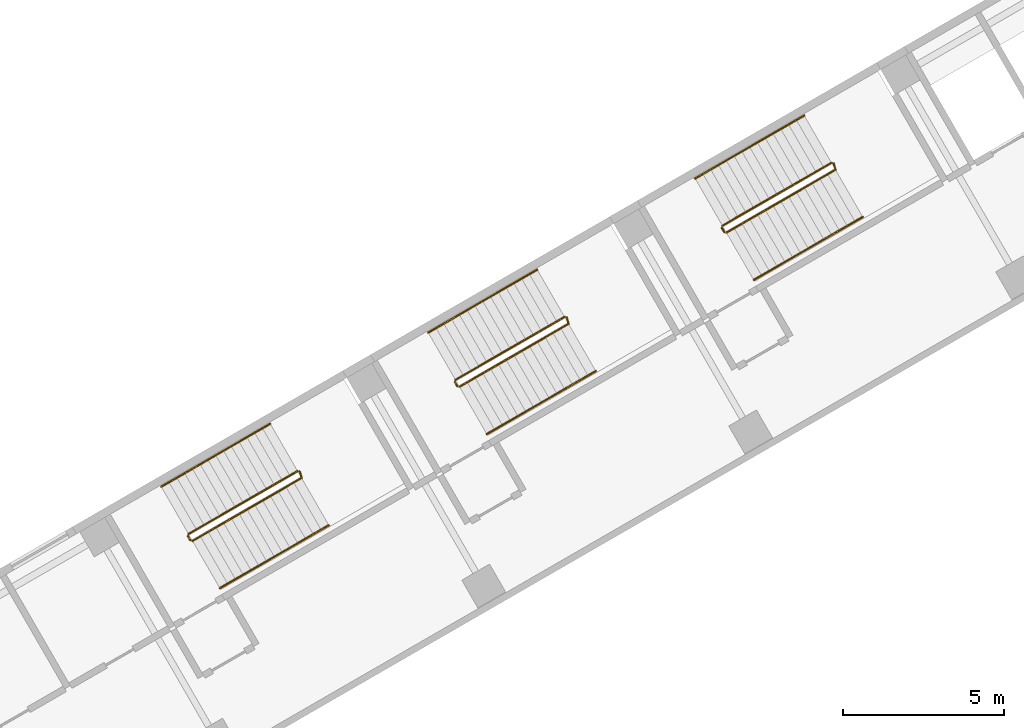
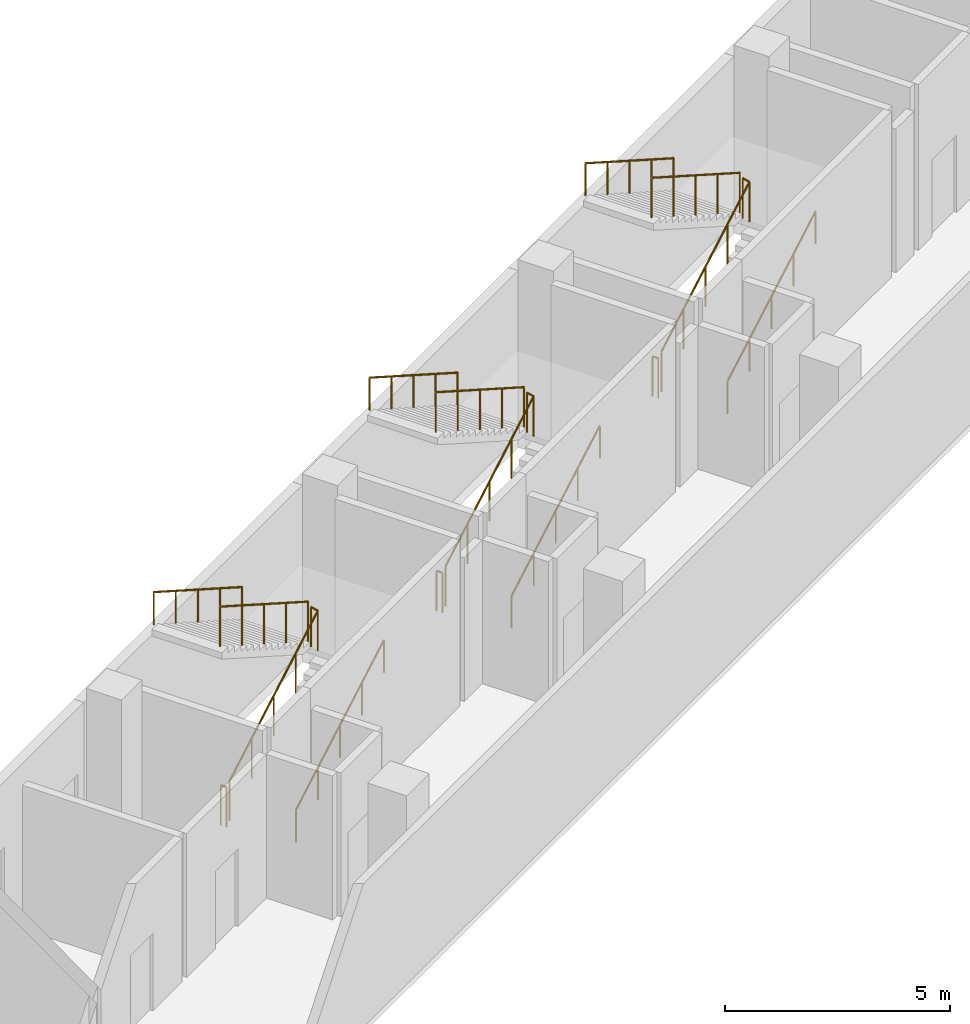
# One storey, part 26 of 28: 15 railings.
"""IFC4 building model written with IfcOpenShell, lengths in metres."""

import ifcopenshell
import ifcopenshell.guid

model = None  # the IFC model being written
_history = None  # IfcOwnerHistory: only IFC2X3 demands one
_inside = {}  # id of a spatial element -> (the spatial element, [elements in it])
_under = {}  # id of a project, library or spatial element -> (it, [spatial elements below it])
_declared = {}  # id of a project -> (the project, [libraries it declares])
_typed = {}  # id of a type object -> (the type object, [elements of that type])
_made_of = {}  # id of a material, layer set ... -> (it, [elements and type objects made of it])


def new_model(schema):
    """Start an empty IFC model of exactly this schema.

    Asked for "IFC4X3", IfcOpenShell would pick the latest addendum, in which some entities
    have other attributes; the version numbers below select the first issue.
    IFC2X3 requires an IfcOwnerHistory on every rooted entity: one is made here for all.
    """
    global model, _history
    if schema == "IFC4X3":
        model = ifcopenshell.file(schema_version=(4, 3, 0, 0))
    else:
        model = ifcopenshell.file(schema=schema)
    _inside.clear()
    _under.clear()
    _declared.clear()
    _typed.clear()
    _made_of.clear()
    _history = None
    if model.schema == "IFC2X3":
        org = make("IfcOrganization", Name="unknown")
        user = make(
            "IfcPersonAndOrganization",
            ThePerson=make("IfcPerson", FamilyName="unknown"),
            TheOrganization=org,
        )
        app = make(
            "IfcApplication",
            ApplicationDeveloper=org,
            Version="unknown",
            ApplicationFullName="unknown",
            ApplicationIdentifier="unknown",
        )
        _history = make(
            "IfcOwnerHistory",
            OwningUser=user,
            OwningApplication=app,
            ChangeAction="ADDED",
            CreationDate=0,
        )
    return model


def make(cls, **values):
    """One entity of the class cls with the attributes given. An attribute that is None is left unset."""
    return model.create_entity(
        cls, **{name: value for name, value in values.items() if value is not None}
    )


def rooted(cls, **values):
    """An entity with a GlobalId (a new one), such as an element, a storey or a relation."""
    return make(cls, GlobalId=ifcopenshell.guid.new(), OwnerHistory=_history, **values)


def si_unit(unit_type, name, prefix=None):
    """IfcSIUnit, for example si_unit("LENGTHUNIT", "METRE", prefix="MILLI")."""
    return make("IfcSIUnit", UnitType=unit_type, Prefix=prefix, Name=name)


def assignment(units):
    """IfcUnitAssignment: the units of a project."""
    return None if units is None else make("IfcUnitAssignment", Units=units)


def point(xyz):
    """IfcCartesianPoint."""
    return None if xyz is None else make("IfcCartesianPoint", Coordinates=xyz)


def direction(xyz):
    """IfcDirection."""
    return None if xyz is None else make("IfcDirection", DirectionRatios=xyz)


def frame(location, z_axis=None, x_axis=None):
    """IfcAxis2Placement3D, a coordinate frame: its origin and axes. An axis left out is left unset."""
    return make(
        "IfcAxis2Placement3D",
        Location=point(location),
        Axis=direction(z_axis),
        RefDirection=direction(x_axis),
    )


def frame_2d(location, x_axis=None):
    """IfcAxis2Placement2D, a coordinate frame in the plane: its origin and x axis."""
    return make(
        "IfcAxis2Placement2D", Location=point(location), RefDirection=direction(x_axis)
    )


def origin():
    """The frame at (0, 0, 0) with its axes left unset."""
    return frame((0.0, 0.0, 0.0))


def origin_2d():
    """The frame at (0, 0) in the plane with its x axis left unset."""
    return frame_2d((0.0, 0.0))


def place(relative_to, where):
    """IfcLocalPlacement: puts the frame where relative to a parent placement (None: the world)."""
    return make(
        "IfcLocalPlacement", PlacementRelTo=relative_to, RelativePlacement=where
    )


def context(
    kind, dimensions, precision=None, world=None, true_north=None, identifier=None
):
    """IfcGeometricRepresentationContext, for example the 3D "Model" context."""
    return make(
        "IfcGeometricRepresentationContext",
        ContextIdentifier=identifier,
        ContextType=kind,
        CoordinateSpaceDimension=dimensions,
        Precision=precision,
        WorldCoordinateSystem=world,
        TrueNorth=true_north,
    )


def subcontext(parent, identifier, kind, view, scale=None):
    """IfcGeometricRepresentationSubContext, for example "Body" below "Model"."""
    return make(
        "IfcGeometricRepresentationSubContext",
        ContextIdentifier=identifier,
        ContextType=kind,
        ParentContext=parent,
        TargetScale=scale,
        TargetView=view,
    )


def project(units=None, contexts=None):
    """IfcProject with its units and contexts."""
    return rooted(
        "IfcProject",
        Name="project",
        RepresentationContexts=contexts,
        UnitsInContext=assignment(units),
    )


def spatial(cls, under=None, at=None, **own):
    """A site, building, storey or space (cls), placed at a placement, below another one or the project."""
    s = rooted(cls, ObjectPlacement=at, **own)
    if under is not None:
        _under.setdefault(under.id(), (under, []))[1].append(s)
    return s


def profile(cls, at=None, kind="AREA", **sizes):
    """A parametric profile (cls). Its sizes go by their IFC names, for example OverallWidth=200.0."""
    return make(cls, ProfileType=kind, Position=at, **sizes)


def circle(**sizes):
    """IfcCircleProfileDef."""
    return profile("IfcCircleProfileDef", **sizes)


def extrude(swept, where, along, depth):
    """IfcExtrudedAreaSolid: the profile swept, set in the frame where, extruded along a direction by depth."""
    return make(
        "IfcExtrudedAreaSolid",
        SweptArea=swept,
        Position=where,
        ExtrudedDirection=direction(along),
        Depth=depth,
    )


def shape(context_of_items, identifier, shape_type, items):
    """IfcShapeRepresentation: the items that make up one representation, for example the "Body"."""
    return make(
        "IfcShapeRepresentation",
        ContextOfItems=context_of_items,
        RepresentationIdentifier=identifier,
        RepresentationType=shape_type,
        Items=items,
    )


def material(Name=None, Category=None):
    """IfcMaterial."""
    return make("IfcMaterial", Name=Name, Category=Category)


def made_of(thing, what):
    """Note that an element or type object is made of a material, layer set ...; save() writes the relation."""
    if what is not None:
        _made_of.setdefault(what.id(), (what, []))[1].append(thing)
    return thing


def type_object(cls, material=None, **own):
    """A type object (cls), such as IfcWallType, which elements share."""
    return made_of(rooted(cls, **own), material)


def element(
    cls,
    number,
    at=None,
    inside=None,
    cuts=None,
    type_object=None,
    material=None,
    context=None,
    identifier="Body",
    shape_type=None,
    held_by="IfcProductDefinitionShape",
    body=None,
    shapes=None,
    **own,
):
    """One element of the class cls, such as IfcWall. Its Tag is "e" and its number.

    at: its placement. inside: the storey or other place that contains it. cuts: it is an
    opening in that element (IfcRelVoidsElement). A single representation is given by context,
    identifier, shape_type and body (its items); several are given by shapes. held_by: the class
    of the entity that holds the representations. save() writes the other relations.
    """
    e = rooted(cls, Tag="e%d" % number, ObjectPlacement=at, **own)
    if body is not None:
        shapes = [shape(context, identifier, shape_type, body)]
    if shapes is not None:
        e.Representation = make(held_by, Representations=shapes)
    if inside is not None:
        _inside.setdefault(inside.id(), (inside, []))[1].append(e)
    if cuts is not None:
        rooted(
            "IfcRelVoidsElement", RelatingBuildingElement=cuts, RelatedOpeningElement=e
        )
    if type_object is not None:
        _typed.setdefault(type_object.id(), (type_object, []))[1].append(e)
    return made_of(e, material)


def aggregate(whole, parts):
    """IfcRelAggregates: a whole, such as a stair, and the parts it consists of."""
    return rooted("IfcRelAggregates", RelatingObject=whole, RelatedObjects=parts)


def save(model, path):
    """Write the relations noted so far, then the file.

    IfcRelAggregates (storeys below a building ...), IfcRelContainedInSpatialStructure (elements
    in a storey), IfcRelDefinesByType, IfcRelAssociatesMaterial and IfcRelDeclares: one each for
    every whole, place, type object, material and project.
    """
    for whole, parts in _under.values():
        aggregate(whole, parts)
    for where, things in _inside.values():
        rooted(
            "IfcRelContainedInSpatialStructure",
            RelatedElements=things,
            RelatingStructure=where,
        )
    for kind, things in _typed.values():
        rooted("IfcRelDefinesByType", RelatedObjects=things, RelatingType=kind)
    for what, things in _made_of.values():
        rooted("IfcRelAssociatesMaterial", RelatedObjects=things, RelatingMaterial=what)
    for by, libraries in _declared.values():
        rooted("IfcRelDeclares", RelatingContext=by, RelatedDefinitions=libraries)
    model.write(path)


model = new_model("IFC4")

# Units and contexts
model_context = context("Model", 3, precision=1e-05, world=origin(), true_north=direction((0.0, 1.0)))
body_context = subcontext(model_context, "Body", "Model", "MODEL_VIEW")
ifc_project = project(units=[si_unit("LENGTHUNIT", "METRE"), si_unit("AREAUNIT", "SQUARE_METRE"), si_unit("VOLUMEUNIT", "CUBIC_METRE"), si_unit("PLANEANGLEUNIT", "RADIAN"), si_unit("MASSUNIT", "GRAM", prefix="KILO")], contexts=[model_context])

# Site, building, storey
site_placement = place(None, origin())
site = spatial("IfcSite", under=ifc_project, at=site_placement, CompositionType="ELEMENT")
building_placement = place(site_placement, origin())
building = spatial("IfcBuilding", under=site, at=building_placement, Name="Mestral Congress Tower", CompositionType="ELEMENT")
storey_placement = place(building_placement, frame((0.0, 0.0, 11.39990234375)))
storey = spatial("IfcBuildingStorey", under=building, at=storey_placement, Name="L02", CompositionType="ELEMENT", Elevation=11.39990234375)

# Railings
ifc_material_1 = material(Name="Steel balustrade", Category="steel")
railing_type_1 = type_object("IfcRailingType", Name="Podium stair guard 1100", PredefinedType="GUARDRAIL", material=ifc_material_1)
railing_1_placement = place(storey_placement, frame((14.014892578125, 51.681396484375, 0.16015625)))
element("IfcRailing", 1, at=railing_1_placement, inside=storey, type_object=railing_type_1, Name="L02 PS-E4 stair guard 1", PredefinedType="GUARDRAIL", context=body_context, shape_type="SweptSolid", body=[
    extrude(circle(Radius=0.02392578125, at=origin_2d()), frame((0.0, 0.0, 1.076171875), z_axis=(0.751919994781, 0.434118210579, 0.496142822878), x_axis=(-0.499997407846, 0.86602690036, 0.0)), (0.0, 0.0, 1.0), 4.514892578125),
    extrude(circle(Radius=0.02392578125, at=origin_2d()), frame((3.394775390625, 1.9599609375, 3.31591796875), z_axis=(-0.274721127897, 0.961523947641, 0.0), x_axis=(-0.961523947641, -0.274721127897, 0.0)), (0.0, 0.0, 1.0), 0.2060546875),
    extrude(circle(Radius=0.02099609375, at=origin_2d()), origin(), (0.0, 0.0, 1.0), 1.052001953125),
    extrude(circle(Radius=0.02099609375, at=origin_2d()), frame((0.8486328125, 0.489990234375, 0.56005859375)), (0.0, 0.0, 1.0), 1.052001953125),
    extrude(circle(Radius=0.02099609375, at=origin_2d()), frame((1.697265625, 0.97998046875, 1.1201171875)), (0.0, 0.0, 1.0), 1.052001953125),
    extrude(circle(Radius=0.02099609375, at=origin_2d()), frame((2.546142578125, 1.469970703125, 1.679931640625)), (0.0, 0.0, 1.0), 1.052001953125),
    extrude(circle(Radius=0.02099609375, at=origin_2d()), frame((3.394775390625, 1.9599609375, 2.239990234375)), (0.0, 0.0, 1.0), 1.052001953125),
    extrude(circle(Radius=0.02099609375, at=origin_2d()), frame((3.338134765625, 2.158203125, 2.239990234375)), (0.0, 0.0, 1.0), 1.052001953125),
])
railing_2_placement = place(storey_placement, frame((17.28466796875, 53.85791015625, 2.56005859375)))
element("IfcRailing", 2, at=railing_2_placement, inside=storey, type_object=railing_type_1, Name="L02 PS-E4 stair guard 2", PredefinedType="GUARDRAIL", context=body_context, shape_type="SweptSolid", body=[
    extrude(circle(Radius=0.02392578125, at=origin_2d()), frame((0.0, 0.0, 1.076171875), z_axis=(-0.751919994781, -0.434118210579, 0.496142822878), x_axis=(0.499997407846, -0.86602690036, 0.0)), (0.0, 0.0, 1.0), 4.514892578125),
    extrude(circle(Radius=0.02099609375, at=origin_2d()), origin(), (0.0, 0.0, 1.0), 1.052001953125),
    extrude(circle(Radius=0.02099609375, at=origin_2d()), frame((-0.8486328125, -0.489990234375, 0.56005859375)), (0.0, 0.0, 1.0), 1.052001953125),
    extrude(circle(Radius=0.02099609375, at=origin_2d()), frame((-1.697265625, -0.97998046875, 1.1201171875)), (0.0, 0.0, 1.0), 1.052001953125),
    extrude(circle(Radius=0.02099609375, at=origin_2d()), frame((-2.546142578125, -1.469970703125, 1.679931640625)), (0.0, 0.0, 1.0), 1.052001953125),
    extrude(circle(Radius=0.02099609375, at=origin_2d()), frame((-3.394775390625, -1.9599609375, 2.239990234375)), (0.0, 0.0, 1.0), 1.052001953125),
])
railing_3_placement = place(storey_placement, frame((13.946533203125, 51.69970703125, 0.0)))
element("IfcRailing", 3, at=railing_3_placement, inside=storey, type_object=railing_type_1, Name="L02 PS-E4 stair guard 3", PredefinedType="GUARDRAIL", context=body_context, shape_type="SweptSolid", body=[
    extrude(circle(Radius=0.02392578125, at=origin_2d()), frame((0.0, 0.0, 1.076171875), z_axis=(-0.499816412211, 0.866131372301, 0.0), x_axis=(-0.866131372301, -0.499816412211, 0.0)), (0.0, 0.0, 1.0), 0.14990234375),
    extrude(circle(Radius=0.02099609375, at=origin_2d()), origin(), (0.0, 0.0, 1.0), 1.052001953125),
    extrude(circle(Radius=0.02099609375, at=origin_2d()), frame((-0.074951171875, 0.1298828125, 0.0)), (0.0, 0.0, 1.0), 1.052001953125),
])
railing_4_placement = place(storey_placement, frame((22.328857421875, 56.4814453125, 0.16015625)))
element("IfcRailing", 4, at=railing_4_placement, inside=storey, type_object=railing_type_1, Name="L02 PS-E5 stair guard 1", PredefinedType="GUARDRAIL", context=body_context, shape_type="SweptSolid", body=[
    extrude(circle(Radius=0.02392578125, at=origin_2d()), frame((0.0, 0.0, 1.076171875), z_axis=(0.751919994781, 0.434118210579, 0.496142822878), x_axis=(-0.499997407846, 0.86602690036, 0.0)), (0.0, 0.0, 1.0), 4.514892578125),
    extrude(circle(Radius=0.02392578125, at=origin_2d()), frame((3.394775390625, 1.9599609375, 3.31591796875), z_axis=(-0.275815366736, 0.96121063429, 0.0), x_axis=(-0.96121063429, -0.275815366736, 0.0)), (0.0, 0.0, 1.0), 0.206298828125),
    extrude(circle(Radius=0.02099609375, at=origin_2d()), origin(), (0.0, 0.0, 1.0), 1.052001953125),
    extrude(circle(Radius=0.02099609375, at=origin_2d()), frame((0.8486328125, 0.489990234375, 0.56005859375)), (0.0, 0.0, 1.0), 1.052001953125),
    extrude(circle(Radius=0.02099609375, at=origin_2d()), frame((1.697265625, 0.97998046875, 1.1201171875)), (0.0, 0.0, 1.0), 1.052001953125),
    extrude(circle(Radius=0.02099609375, at=origin_2d()), frame((2.546142578125, 1.469970703125, 1.679931640625)), (0.0, 0.0, 1.0), 1.052001953125),
    extrude(circle(Radius=0.02099609375, at=origin_2d()), frame((3.394775390625, 1.9599609375, 2.239990234375)), (0.0, 0.0, 1.0), 1.052001953125),
    extrude(circle(Radius=0.02099609375, at=origin_2d()), frame((3.337890625, 2.158203125, 2.239990234375)), (0.0, 0.0, 1.0), 1.052001953125),
])
railing_5_placement = place(storey_placement, frame((25.5986328125, 58.657958984375, 2.56005859375)))
element("IfcRailing", 5, at=railing_5_placement, inside=storey, type_object=railing_type_1, Name="L02 PS-E5 stair guard 2", PredefinedType="GUARDRAIL", context=body_context, shape_type="SweptSolid", body=[
    extrude(circle(Radius=0.02392578125, at=origin_2d()), frame((0.0, 0.0, 1.076171875), z_axis=(-0.751919994781, -0.434118210579, 0.496142822878), x_axis=(0.499997407846, -0.86602690036, 0.0)), (0.0, 0.0, 1.0), 4.514892578125),
    extrude(circle(Radius=0.02099609375, at=origin_2d()), origin(), (0.0, 0.0, 1.0), 1.052001953125),
    extrude(circle(Radius=0.02099609375, at=origin_2d()), frame((-0.8486328125, -0.489990234375, 0.56005859375)), (0.0, 0.0, 1.0), 1.052001953125),
    extrude(circle(Radius=0.02099609375, at=origin_2d()), frame((-1.697265625, -0.97998046875, 1.1201171875)), (0.0, 0.0, 1.0), 1.052001953125),
    extrude(circle(Radius=0.02099609375, at=origin_2d()), frame((-2.546142578125, -1.469970703125, 1.679931640625)), (0.0, 0.0, 1.0), 1.052001953125),
    extrude(circle(Radius=0.02099609375, at=origin_2d()), frame((-3.394775390625, -1.9599609375, 2.239990234375)), (0.0, 0.0, 1.0), 1.052001953125),
])
railing_6_placement = place(storey_placement, frame((22.260498046875, 56.499755859375, 0.0)))
element("IfcRailing", 6, at=railing_6_placement, inside=storey, type_object=railing_type_1, Name="L02 PS-E5 stair guard 3", PredefinedType="GUARDRAIL", context=body_context, shape_type="SweptSolid", body=[
    extrude(circle(Radius=0.02392578125, at=origin_2d()), frame((0.0, 0.0, 1.076171875), z_axis=(-0.499816412211, 0.866131372301, 0.0), x_axis=(-0.866131372301, -0.499816412211, 0.0)), (0.0, 0.0, 1.0), 0.14990234375),
    extrude(circle(Radius=0.02099609375, at=origin_2d()), origin(), (0.0, 0.0, 1.0), 1.052001953125),
    extrude(circle(Radius=0.02099609375, at=origin_2d()), frame((-0.074951171875, 0.1298828125, 0.0)), (0.0, 0.0, 1.0), 1.052001953125),
])
railing_7_placement = place(storey_placement, frame((30.642578125, 61.281494140625, 0.16015625)))
element("IfcRailing", 7, at=railing_7_placement, inside=storey, type_object=railing_type_1, Name="L02 PS-E6 stair guard 1", PredefinedType="GUARDRAIL", context=body_context, shape_type="SweptSolid", body=[
    extrude(circle(Radius=0.02392578125, at=origin_2d()), frame((0.0, 0.0, 1.076171875), z_axis=(0.751919994781, 0.434118210579, 0.496142822878), x_axis=(-0.499997407846, 0.86602690036, 0.0)), (0.0, 0.0, 1.0), 4.514892578125),
    extrude(circle(Radius=0.02392578125, at=origin_2d()), frame((3.394775390625, 1.9599609375, 3.31591796875), z_axis=(-0.274721127897, 0.961523947641, 0.0), x_axis=(-0.961523947641, -0.274721127897, 0.0)), (0.0, 0.0, 1.0), 0.2060546875),
    extrude(circle(Radius=0.02099609375, at=origin_2d()), origin(), (0.0, 0.0, 1.0), 1.052001953125),
    extrude(circle(Radius=0.02099609375, at=origin_2d()), frame((0.8486328125, 0.489990234375, 0.56005859375)), (0.0, 0.0, 1.0), 1.052001953125),
    extrude(circle(Radius=0.02099609375, at=origin_2d()), frame((1.697265625, 0.97998046875, 1.1201171875)), (0.0, 0.0, 1.0), 1.052001953125),
    extrude(circle(Radius=0.02099609375, at=origin_2d()), frame((2.546142578125, 1.469970703125, 1.679931640625)), (0.0, 0.0, 1.0), 1.052001953125),
    extrude(circle(Radius=0.02099609375, at=origin_2d()), frame((3.394775390625, 1.9599609375, 2.239990234375)), (0.0, 0.0, 1.0), 1.052001953125),
    extrude(circle(Radius=0.02099609375, at=origin_2d()), frame((3.338134765625, 2.158203125, 2.239990234375)), (0.0, 0.0, 1.0), 1.052001953125),
])
railing_8_placement = place(storey_placement, frame((33.912353515625, 63.4580078125, 2.56005859375)))
element("IfcRailing", 8, at=railing_8_placement, inside=storey, type_object=railing_type_1, Name="L02 PS-E6 stair guard 2", PredefinedType="GUARDRAIL", context=body_context, shape_type="SweptSolid", body=[
    extrude(circle(Radius=0.02392578125, at=origin_2d()), frame((0.0, 0.0, 1.076171875), z_axis=(-0.751919994781, -0.434118210579, 0.496142822878), x_axis=(0.499997407846, -0.86602690036, 0.0)), (0.0, 0.0, 1.0), 4.514892578125),
    extrude(circle(Radius=0.02099609375, at=origin_2d()), origin(), (0.0, 0.0, 1.0), 1.052001953125),
    extrude(circle(Radius=0.02099609375, at=origin_2d()), frame((-0.8486328125, -0.489990234375, 0.56005859375)), (0.0, 0.0, 1.0), 1.052001953125),
    extrude(circle(Radius=0.02099609375, at=origin_2d()), frame((-1.697265625, -0.97998046875, 1.1201171875)), (0.0, 0.0, 1.0), 1.052001953125),
    extrude(circle(Radius=0.02099609375, at=origin_2d()), frame((-2.546142578125, -1.469970703125, 1.679931640625)), (0.0, 0.0, 1.0), 1.052001953125),
    extrude(circle(Radius=0.02099609375, at=origin_2d()), frame((-3.394775390625, -1.9599609375, 2.239990234375)), (0.0, 0.0, 1.0), 1.052001953125),
])
railing_9_placement = place(storey_placement, frame((30.57421875, 61.2998046875, 0.0)))
element("IfcRailing", 9, at=railing_9_placement, inside=storey, type_object=railing_type_1, Name="L02 PS-E6 stair guard 3", PredefinedType="GUARDRAIL", context=body_context, shape_type="SweptSolid", body=[
    extrude(circle(Radius=0.02392578125, at=origin_2d()), frame((0.0, 0.0, 1.076171875), z_axis=(-0.499816412211, 0.866131372301, 0.0), x_axis=(-0.866131372301, -0.499816412211, 0.0)), (0.0, 0.0, 1.0), 0.14990234375),
    extrude(circle(Radius=0.02099609375, at=origin_2d()), origin(), (0.0, 0.0, 1.0), 1.052001953125),
    extrude(circle(Radius=0.02099609375, at=origin_2d()), frame((-0.074951171875, 0.1298828125, 0.0)), (0.0, 0.0, 1.0), 1.052001953125),
])
ifc_material_2 = material(Name="Steel handrail", Category="steel")
railing_type_2 = type_object("IfcRailingType", Name="Podium stair handrail 900", PredefinedType="HANDRAIL", material=ifc_material_2)
railing_10_placement = place(storey_placement, frame((14.864990234375, 50.209228515625, 0.16015625)))
element("IfcRailing", 10, at=railing_10_placement, inside=storey, type_object=railing_type_2, Name="L02 PS-E4 stair handrail 1", PredefinedType="HANDRAIL", context=body_context, shape_type="SweptSolid", body=[
    extrude(circle(Radius=0.02392578125, at=origin_2d()), frame((0.0, 0.0, 0.8759765625), z_axis=(0.751919994781, 0.434118210579, 0.496142822878), x_axis=(-0.499997407846, 0.86602690036, 0.0)), (0.0, 0.0, 1.0), 4.514892578125),
    extrude(circle(Radius=0.02099609375, at=origin_2d()), origin(), (0.0, 0.0, 1.0), 0.851806640625),
    extrude(circle(Radius=0.02099609375, at=origin_2d()), frame((0.8486328125, 0.489990234375, 0.56005859375)), (0.0, 0.0, 1.0), 0.851806640625),
    extrude(circle(Radius=0.02099609375, at=origin_2d()), frame((1.697265625, 0.97998046875, 1.1201171875)), (0.0, 0.0, 1.0), 0.851806640625),
    extrude(circle(Radius=0.02099609375, at=origin_2d()), frame((2.546142578125, 1.469970703125, 1.679931640625)), (0.0, 0.0, 1.0), 0.851806640625),
    extrude(circle(Radius=0.02099609375, at=origin_2d()), frame((3.394775390625, 1.9599609375, 2.239990234375)), (0.0, 0.0, 1.0), 0.851806640625),
])
railing_11_placement = place(storey_placement, frame((16.434814453125, 55.330078125, 2.56005859375)))
element("IfcRailing", 11, at=railing_11_placement, inside=storey, type_object=railing_type_2, Name="L02 PS-E4 stair handrail 2", PredefinedType="HANDRAIL", context=body_context, shape_type="SweptSolid", body=[
    extrude(circle(Radius=0.02392578125, at=origin_2d()), frame((0.0, 0.0, 0.8759765625), z_axis=(-0.751919994781, -0.434118210579, 0.496142822878), x_axis=(0.499997407846, -0.86602690036, 0.0)), (0.0, 0.0, 1.0), 4.514892578125),
    extrude(circle(Radius=0.02099609375, at=origin_2d()), origin(), (0.0, 0.0, 1.0), 0.851806640625),
    extrude(circle(Radius=0.02099609375, at=origin_2d()), frame((-0.8486328125, -0.489990234375, 0.56005859375)), (0.0, 0.0, 1.0), 0.851806640625),
    extrude(circle(Radius=0.02099609375, at=origin_2d()), frame((-1.697265625, -0.97998046875, 1.1201171875)), (0.0, 0.0, 1.0), 0.851806640625),
    extrude(circle(Radius=0.02099609375, at=origin_2d()), frame((-2.546142578125, -1.469970703125, 1.679931640625)), (0.0, 0.0, 1.0), 0.851806640625),
    extrude(circle(Radius=0.02099609375, at=origin_2d()), frame((-3.394775390625, -1.9599609375, 2.239990234375)), (0.0, 0.0, 1.0), 0.851806640625),
])
railing_12_placement = place(storey_placement, frame((23.1787109375, 55.00927734375, 0.16015625)))
element("IfcRailing", 12, at=railing_12_placement, inside=storey, type_object=railing_type_2, Name="L02 PS-E5 stair handrail 1", PredefinedType="HANDRAIL", context=body_context, shape_type="SweptSolid", body=[
    extrude(circle(Radius=0.02392578125, at=origin_2d()), frame((0.0, 0.0, 0.8759765625), z_axis=(0.751919994781, 0.434118210579, 0.496142822878), x_axis=(-0.499997407846, 0.86602690036, 0.0)), (0.0, 0.0, 1.0), 4.514892578125),
    extrude(circle(Radius=0.02099609375, at=origin_2d()), origin(), (0.0, 0.0, 1.0), 0.851806640625),
    extrude(circle(Radius=0.02099609375, at=origin_2d()), frame((0.8486328125, 0.489990234375, 0.56005859375)), (0.0, 0.0, 1.0), 0.851806640625),
    extrude(circle(Radius=0.02099609375, at=origin_2d()), frame((1.697265625, 0.97998046875, 1.1201171875)), (0.0, 0.0, 1.0), 0.851806640625),
    extrude(circle(Radius=0.02099609375, at=origin_2d()), frame((2.546142578125, 1.469970703125, 1.679931640625)), (0.0, 0.0, 1.0), 0.851806640625),
    extrude(circle(Radius=0.02099609375, at=origin_2d()), frame((3.394775390625, 1.9599609375, 2.239990234375)), (0.0, 0.0, 1.0), 0.851806640625),
])
railing_13_placement = place(storey_placement, frame((24.74853515625, 60.130126953125, 2.56005859375)))
element("IfcRailing", 13, at=railing_13_placement, inside=storey, type_object=railing_type_2, Name="L02 PS-E5 stair handrail 2", PredefinedType="HANDRAIL", context=body_context, shape_type="SweptSolid", body=[
    extrude(circle(Radius=0.02392578125, at=origin_2d()), frame((0.0, 0.0, 0.8759765625), z_axis=(-0.751919994781, -0.434118210579, 0.496142822878), x_axis=(0.499997407846, -0.86602690036, 0.0)), (0.0, 0.0, 1.0), 4.514892578125),
    extrude(circle(Radius=0.02099609375, at=origin_2d()), origin(), (0.0, 0.0, 1.0), 0.851806640625),
    extrude(circle(Radius=0.02099609375, at=origin_2d()), frame((-0.8486328125, -0.489990234375, 0.56005859375)), (0.0, 0.0, 1.0), 0.851806640625),
    extrude(circle(Radius=0.02099609375, at=origin_2d()), frame((-1.697265625, -0.97998046875, 1.1201171875)), (0.0, 0.0, 1.0), 0.851806640625),
    extrude(circle(Radius=0.02099609375, at=origin_2d()), frame((-2.546142578125, -1.469970703125, 1.679931640625)), (0.0, 0.0, 1.0), 0.851806640625),
    extrude(circle(Radius=0.02099609375, at=origin_2d()), frame((-3.394775390625, -1.9599609375, 2.239990234375)), (0.0, 0.0, 1.0), 0.851806640625),
])
railing_14_placement = place(storey_placement, frame((31.492431640625, 59.80908203125, 0.16015625)))
element("IfcRailing", 14, at=railing_14_placement, inside=storey, type_object=railing_type_2, Name="L02 PS-E6 stair handrail 1", PredefinedType="HANDRAIL", context=body_context, shape_type="SweptSolid", body=[
    extrude(circle(Radius=0.02392578125, at=origin_2d()), frame((0.0, 0.0, 0.8759765625), z_axis=(0.751925844408, 0.43414444159, 0.496111004059), x_axis=(-0.500017148795, 0.866015502696, 0.0)), (0.0, 0.0, 1.0), 4.51513671875),
    extrude(circle(Radius=0.02099609375, at=origin_2d()), origin(), (0.0, 0.0, 1.0), 0.851806640625),
    extrude(circle(Radius=0.02099609375, at=origin_2d()), frame((0.8486328125, 0.489990234375, 0.56005859375)), (0.0, 0.0, 1.0), 0.851806640625),
    extrude(circle(Radius=0.02099609375, at=origin_2d()), frame((1.697509765625, 0.97998046875, 1.1201171875)), (0.0, 0.0, 1.0), 0.851806640625),
    extrude(circle(Radius=0.02099609375, at=origin_2d()), frame((2.54638671875, 1.47021484375, 1.679931640625)), (0.0, 0.0, 1.0), 0.851806640625),
    extrude(circle(Radius=0.02099609375, at=origin_2d()), frame((3.39501953125, 1.960205078125, 2.239990234375)), (0.0, 0.0, 1.0), 0.851806640625),
])
railing_15_placement = place(storey_placement, frame((33.062255859375, 64.93017578125, 2.56005859375)))
element("IfcRailing", 15, at=railing_15_placement, inside=storey, type_object=railing_type_2, Name="L02 PS-E6 stair handrail 2", PredefinedType="HANDRAIL", context=body_context, shape_type="SweptSolid", body=[
    extrude(circle(Radius=0.02392578125, at=origin_2d()), frame((0.0, 0.0, 0.8759765625), z_axis=(-0.751919994781, -0.434118210579, 0.496142822878), x_axis=(0.499997407846, -0.86602690036, 0.0)), (0.0, 0.0, 1.0), 4.514892578125),
    extrude(circle(Radius=0.02099609375, at=origin_2d()), origin(), (0.0, 0.0, 1.0), 0.851806640625),
    extrude(circle(Radius=0.02099609375, at=origin_2d()), frame((-0.8486328125, -0.489990234375, 0.56005859375)), (0.0, 0.0, 1.0), 0.851806640625),
    extrude(circle(Radius=0.02099609375, at=origin_2d()), frame((-1.697265625, -0.97998046875, 1.1201171875)), (0.0, 0.0, 1.0), 0.851806640625),
    extrude(circle(Radius=0.02099609375, at=origin_2d()), frame((-2.546142578125, -1.469970703125, 1.679931640625)), (0.0, 0.0, 1.0), 0.851806640625),
    extrude(circle(Radius=0.02099609375, at=origin_2d()), frame((-3.394775390625, -1.9599609375, 2.239990234375)), (0.0, 0.0, 1.0), 0.851806640625),
])

save(model, "model.ifc")
